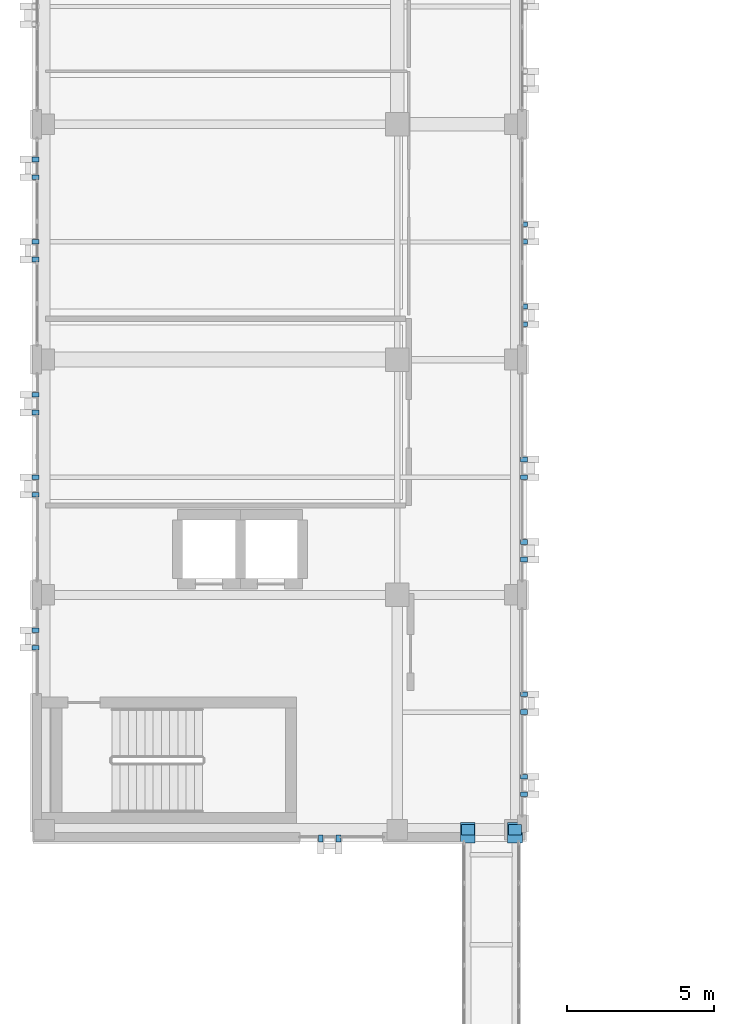
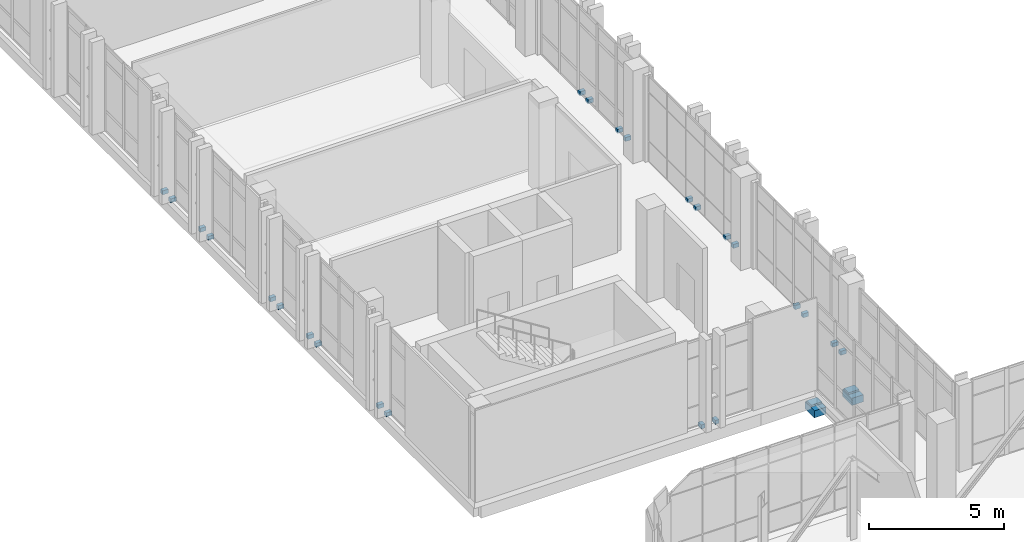
# One storey, part 165 of 193: 28 discrete accessories.
"""IFC4 building model written with IfcOpenShell, lengths in metres."""

import ifcopenshell
import ifcopenshell.guid

model = None  # the IFC model being written
_history = None  # IfcOwnerHistory: only IFC2X3 demands one
_inside = {}  # id of a spatial element -> (the spatial element, [elements in it])
_under = {}  # id of a project, library or spatial element -> (it, [spatial elements below it])
_declared = {}  # id of a project -> (the project, [libraries it declares])
_typed = {}  # id of a type object -> (the type object, [elements of that type])
_made_of = {}  # id of a material, layer set ... -> (it, [elements and type objects made of it])


def new_model(schema):
    """Start an empty IFC model of exactly this schema.

    Asked for "IFC4X3", IfcOpenShell would pick the latest addendum, in which some entities
    have other attributes; the version numbers below select the first issue.
    IFC2X3 requires an IfcOwnerHistory on every rooted entity: one is made here for all.
    """
    global model, _history
    if schema == "IFC4X3":
        model = ifcopenshell.file(schema_version=(4, 3, 0, 0))
    else:
        model = ifcopenshell.file(schema=schema)
    _inside.clear()
    _under.clear()
    _declared.clear()
    _typed.clear()
    _made_of.clear()
    _history = None
    if model.schema == "IFC2X3":
        org = make("IfcOrganization", Name="unknown")
        user = make(
            "IfcPersonAndOrganization",
            ThePerson=make("IfcPerson", FamilyName="unknown"),
            TheOrganization=org,
        )
        app = make(
            "IfcApplication",
            ApplicationDeveloper=org,
            Version="unknown",
            ApplicationFullName="unknown",
            ApplicationIdentifier="unknown",
        )
        _history = make(
            "IfcOwnerHistory",
            OwningUser=user,
            OwningApplication=app,
            ChangeAction="ADDED",
            CreationDate=0,
        )
    return model


def make(cls, **values):
    """One entity of the class cls with the attributes given. An attribute that is None is left unset."""
    return model.create_entity(
        cls, **{name: value for name, value in values.items() if value is not None}
    )


def rooted(cls, **values):
    """An entity with a GlobalId (a new one), such as an element, a storey or a relation."""
    return make(cls, GlobalId=ifcopenshell.guid.new(), OwnerHistory=_history, **values)


def si_unit(unit_type, name, prefix=None):
    """IfcSIUnit, for example si_unit("LENGTHUNIT", "METRE", prefix="MILLI")."""
    return make("IfcSIUnit", UnitType=unit_type, Prefix=prefix, Name=name)


def assignment(units):
    """IfcUnitAssignment: the units of a project."""
    return None if units is None else make("IfcUnitAssignment", Units=units)


def point(xyz):
    """IfcCartesianPoint."""
    return None if xyz is None else make("IfcCartesianPoint", Coordinates=xyz)


def direction(xyz):
    """IfcDirection."""
    return None if xyz is None else make("IfcDirection", DirectionRatios=xyz)


def frame(location, z_axis=None, x_axis=None):
    """IfcAxis2Placement3D, a coordinate frame: its origin and axes. An axis left out is left unset."""
    return make(
        "IfcAxis2Placement3D",
        Location=point(location),
        Axis=direction(z_axis),
        RefDirection=direction(x_axis),
    )


def frame_2d(location, x_axis=None):
    """IfcAxis2Placement2D, a coordinate frame in the plane: its origin and x axis."""
    return make(
        "IfcAxis2Placement2D", Location=point(location), RefDirection=direction(x_axis)
    )


def origin():
    """The frame at (0, 0, 0) with its axes left unset."""
    return frame((0.0, 0.0, 0.0))


def origin_2d():
    """The frame at (0, 0) in the plane with its x axis left unset."""
    return frame_2d((0.0, 0.0))


def place(relative_to, where):
    """IfcLocalPlacement: puts the frame where relative to a parent placement (None: the world)."""
    return make(
        "IfcLocalPlacement", PlacementRelTo=relative_to, RelativePlacement=where
    )


def context(
    kind, dimensions, precision=None, world=None, true_north=None, identifier=None
):
    """IfcGeometricRepresentationContext, for example the 3D "Model" context."""
    return make(
        "IfcGeometricRepresentationContext",
        ContextIdentifier=identifier,
        ContextType=kind,
        CoordinateSpaceDimension=dimensions,
        Precision=precision,
        WorldCoordinateSystem=world,
        TrueNorth=true_north,
    )


def subcontext(parent, identifier, kind, view, scale=None):
    """IfcGeometricRepresentationSubContext, for example "Body" below "Model"."""
    return make(
        "IfcGeometricRepresentationSubContext",
        ContextIdentifier=identifier,
        ContextType=kind,
        ParentContext=parent,
        TargetScale=scale,
        TargetView=view,
    )


def project(units=None, contexts=None):
    """IfcProject with its units and contexts."""
    return rooted(
        "IfcProject",
        Name="project",
        RepresentationContexts=contexts,
        UnitsInContext=assignment(units),
    )


def spatial(cls, under=None, at=None, **own):
    """A site, building, storey or space (cls), placed at a placement, below another one or the project."""
    s = rooted(cls, ObjectPlacement=at, **own)
    if under is not None:
        _under.setdefault(under.id(), (under, []))[1].append(s)
    return s


def profile(cls, at=None, kind="AREA", **sizes):
    """A parametric profile (cls). Its sizes go by their IFC names, for example OverallWidth=200.0."""
    return make(cls, ProfileType=kind, Position=at, **sizes)


def rectangle(**sizes):
    """IfcRectangleProfileDef."""
    return profile("IfcRectangleProfileDef", **sizes)


def extrude(swept, where, along, depth):
    """IfcExtrudedAreaSolid: the profile swept, set in the frame where, extruded along a direction by depth."""
    return make(
        "IfcExtrudedAreaSolid",
        SweptArea=swept,
        Position=where,
        ExtrudedDirection=direction(along),
        Depth=depth,
    )


def shape(context_of_items, identifier, shape_type, items):
    """IfcShapeRepresentation: the items that make up one representation, for example the "Body"."""
    return make(
        "IfcShapeRepresentation",
        ContextOfItems=context_of_items,
        RepresentationIdentifier=identifier,
        RepresentationType=shape_type,
        Items=items,
    )


def material(Name=None, Category=None):
    """IfcMaterial."""
    return make("IfcMaterial", Name=Name, Category=Category)


def made_of(thing, what):
    """Note that an element or type object is made of a material, layer set ...; save() writes the relation."""
    if what is not None:
        _made_of.setdefault(what.id(), (what, []))[1].append(thing)
    return thing


def type_object(cls, material=None, **own):
    """A type object (cls), such as IfcWallType, which elements share."""
    return made_of(rooted(cls, **own), material)


def element(
    cls,
    number,
    at=None,
    inside=None,
    cuts=None,
    type_object=None,
    material=None,
    context=None,
    identifier="Body",
    shape_type=None,
    held_by="IfcProductDefinitionShape",
    body=None,
    shapes=None,
    **own,
):
    """One element of the class cls, such as IfcWall. Its Tag is "e" and its number.

    at: its placement. inside: the storey or other place that contains it. cuts: it is an
    opening in that element (IfcRelVoidsElement). A single representation is given by context,
    identifier, shape_type and body (its items); several are given by shapes. held_by: the class
    of the entity that holds the representations. save() writes the other relations.
    """
    e = rooted(cls, Tag="e%d" % number, ObjectPlacement=at, **own)
    if body is not None:
        shapes = [shape(context, identifier, shape_type, body)]
    if shapes is not None:
        e.Representation = make(held_by, Representations=shapes)
    if inside is not None:
        _inside.setdefault(inside.id(), (inside, []))[1].append(e)
    if cuts is not None:
        rooted(
            "IfcRelVoidsElement", RelatingBuildingElement=cuts, RelatedOpeningElement=e
        )
    if type_object is not None:
        _typed.setdefault(type_object.id(), (type_object, []))[1].append(e)
    return made_of(e, material)


def aggregate(whole, parts):
    """IfcRelAggregates: a whole, such as a stair, and the parts it consists of."""
    return rooted("IfcRelAggregates", RelatingObject=whole, RelatedObjects=parts)


def save(model, path):
    """Write the relations noted so far, then the file.

    IfcRelAggregates (storeys below a building ...), IfcRelContainedInSpatialStructure (elements
    in a storey), IfcRelDefinesByType, IfcRelAssociatesMaterial and IfcRelDeclares: one each for
    every whole, place, type object, material and project.
    """
    for whole, parts in _under.values():
        aggregate(whole, parts)
    for where, things in _inside.values():
        rooted(
            "IfcRelContainedInSpatialStructure",
            RelatedElements=things,
            RelatingStructure=where,
        )
    for kind, things in _typed.values():
        rooted("IfcRelDefinesByType", RelatedObjects=things, RelatingType=kind)
    for what, things in _made_of.values():
        rooted("IfcRelAssociatesMaterial", RelatedObjects=things, RelatingMaterial=what)
    for by, libraries in _declared.values():
        rooted("IfcRelDeclares", RelatingContext=by, RelatedDefinitions=libraries)
    model.write(path)


model = new_model("IFC4")

# Units and contexts
model_context = context("Model", 3, precision=1e-05, world=origin(), true_north=direction((0.0, 1.0)))
body_context = subcontext(model_context, "Body", "Model", "MODEL_VIEW")
ifc_project = project(units=[si_unit("LENGTHUNIT", "METRE"), si_unit("AREAUNIT", "SQUARE_METRE"), si_unit("VOLUMEUNIT", "CUBIC_METRE"), si_unit("PLANEANGLEUNIT", "RADIAN"), si_unit("MASSUNIT", "GRAM", prefix="KILO")], contexts=[model_context])

# Site, building, storey
site_placement = place(None, origin())
site = spatial("IfcSite", under=ifc_project, at=site_placement, CompositionType="ELEMENT")
building_placement = place(site_placement, origin())
building = spatial("IfcBuilding", under=site, at=building_placement, Name="Qalavern Law Courts", CompositionType="ELEMENT")
storey_placement = place(building_placement, frame((0.0, 0.0, 10.199951171875)))
storey = spatial("IfcBuildingStorey", under=building, at=storey_placement, Name="L02", CompositionType="ELEMENT", Elevation=10.199951171875)

# Discrete accessories
ifc_material_1 = material(Name="Steel S355", Category="steel")
discrete_accessory_type_1 = type_object("IfcDiscreteAccessoryType", Name="ENV-BRK-FIN", PredefinedType="BRACKET", material=ifc_material_1)
for number, where, z_axis, x_axis, name in (
    (1, (11.800048828125, 41.114990234375, -0.06982421875), (0.0, 0.0, 1.0), (0.0, -1.0, 0.0), "Stone blade anchor bracket 0247"),
    (2, (12.39990234375, 41.114990234375, -0.06982421875), (0.0, 0.0, 1.0), (0.0, -1.0, 0.0), "Stone blade anchor bracket 0248"),
    (3, (18.705078125, 42.6201171875, -0.06982421875), (0.0, 0.0, 1.0), (1.0, 0.0, 0.0), "Stone blade anchor bracket 0249"),
    (4, (18.705078125, 43.219970703125, -0.06982421875), (0.0, 0.0, 1.0), (1.0, 0.0, 0.0), "Stone blade anchor bracket 0250"),
    (5, (18.705078125, 45.419921875, -0.06982421875), (0.0, 0.0, 1.0), (1.0, 0.0, 0.0), "Stone blade anchor bracket 0251"),
    (6, (18.705078125, 46.02001953125, -0.06982421875), (0.0, 0.0, 1.0), (1.0, 0.0, 0.0), "Stone blade anchor bracket 0252"),
    (7, (18.705078125, 50.60009765625, -0.06982421875), (0.0, 0.0, 1.0), (1.0, 0.0, 0.0), "Stone blade anchor bracket 0253"),
    (8, (18.705078125, 51.199951171875, -0.06982421875), (0.0, 0.0, 1.0), (1.0, 0.0, 0.0), "Stone blade anchor bracket 0254"),
    (9, (18.705078125, 53.39990234375, -0.06982421875), (0.0, 0.0, 1.0), (1.0, 0.0, 0.0), "Stone blade anchor bracket 0255"),
    (10, (18.705078125, 54.0, -0.06982421875), (0.0, 0.0, 1.0), (1.0, 0.0, 0.0), "Stone blade anchor bracket 0256"),
    (11, (18.705078125, 58.60009765625, -0.06982421875), (0.0, 0.0, 1.0), (1.0, 0.0, 0.0), "Stone blade anchor bracket 0257"),
    (12, (18.705078125, 59.199951171875, -0.06982421875), (0.0, 0.0, 1.0), (1.0, 0.0, 0.0), "Stone blade anchor bracket 0258"),
    (13, (18.705078125, 61.39990234375, -0.06982421875), (0.0, 0.0, 1.0), (1.0, 0.0, 0.0), "Stone blade anchor bracket 0259"),
    (14, (18.705078125, 62.0, -0.06982421875), (0.0, 0.0, 1.0), (1.0, 0.0, 0.0), "Stone blade anchor bracket 0260"),
    (15, (2.094970703125, 64.199951171875, -0.06982421875), (0.0, 0.0, 1.0), (-1.0, 0.0, 0.0), "Stone blade anchor bracket 0289"),
    (16, (2.094970703125, 63.60009765625, -0.06982421875), (0.0, 0.0, 1.0), (-1.0, 0.0, 0.0), "Stone blade anchor bracket 0290"),
    (17, (2.094970703125, 61.39990234375, -0.06982421875), (0.0, 0.0, 1.0), (-1.0, 0.0, 0.0), "Stone blade anchor bracket 0291"),
    (18, (2.094970703125, 60.800048828125, -0.06982421875), (0.0, 0.0, 1.0), (-1.0, 0.0, 0.0), "Stone blade anchor bracket 0292"),
    (19, (2.094970703125, 56.199951171875, -0.06982421875), (0.0, 0.0, 1.0), (-1.0, 0.0, 0.0), "Stone blade anchor bracket 0293"),
    (20, (2.094970703125, 55.60009765625, -0.06982421875), (0.0, 0.0, 1.0), (-1.0, 0.0, 0.0), "Stone blade anchor bracket 0294"),
    (21, (2.094970703125, 53.39990234375, -0.06982421875), (0.0, 0.0, 1.0), (-1.0, 0.0, 0.0), "Stone blade anchor bracket 0295"),
    (22, (2.094970703125, 52.800048828125, -0.06982421875), (0.0, 0.0, 1.0), (-1.0, 0.0, 0.0), "Stone blade anchor bracket 0296"),
    (23, (2.094970703125, 48.199951171875, -0.06982421875), (0.0, 0.0, 1.0), (-1.0, 0.0, 0.0), "Stone blade anchor bracket 0297"),
    (24, (2.094970703125, 47.60009765625, -0.06982421875), (0.0, 0.0, 1.0), (-1.0, 0.0, 0.0), "Stone blade anchor bracket 0298"),
):
    element("IfcDiscreteAccessory", number, at=place(storey_placement, frame(where, z_axis=z_axis, x_axis=x_axis)), inside=storey, type_object=discrete_accessory_type_1, Name=name, PredefinedType="BRACKET", context=body_context, shape_type="SweptSolid", body=[
        extrude(rectangle(XDim=0.239990234375, YDim=0.159912109375, at=origin_2d()), origin(), (0.0, 0.0, 1.0), 0.179931640625),
    ])
ifc_material_2 = material(Name="Concrete C45/55", Category="concrete")
discrete_accessory_type_2 = type_object("IfcDiscreteAccessoryType", Name="STR-CORBEL-700", PredefinedType="BRACKET", material=ifc_material_2)
for number, where, z_axis, x_axis, name in (
    (25, (16.800048828125, 41.320068359375, -1.23974609375), (0.0, 0.0, 1.0), (1.0, 0.0, 0.0), "Bridge BR-V1-V3 700 mm corbel seat 1 L02"),
    (26, (18.39990234375, 41.320068359375, -1.23974609375), (0.0, 0.0, 1.0), (1.0, 0.0, 0.0), "Bridge BR-V1-V3 700 mm corbel seat 2 L02"),
):
    element("IfcDiscreteAccessory", number, at=place(storey_placement, frame(where, z_axis=z_axis, x_axis=x_axis)), inside=storey, type_object=discrete_accessory_type_2, Name=name, PredefinedType="BRACKET", context=body_context, shape_type="SweptSolid", body=[
        extrude(rectangle(XDim=0.5, YDim=0.699951171875, at=origin_2d()), origin(), (0.0, 0.0, 1.0), 0.320068359375),
    ])
discrete_accessory_type_3 = type_object("IfcDiscreteAccessoryType", Name="STR-SHOE-PTFE350", PredefinedType="SHOE", material=ifc_material_1)
for number, where, z_axis, x_axis, name in (
    (27, (16.800048828125, 41.419921875, -0.919921875), (0.0, 0.0, 1.0), (1.0, 0.0, 0.0), "Seismic bridge PTFE sliding bearing 27"),
    (28, (18.39990234375, 41.419921875, -0.919921875), (0.0, 0.0, 1.0), (1.0, 0.0, 0.0), "Seismic bridge PTFE sliding bearing 28"),
):
    element("IfcDiscreteAccessory", number, at=place(storey_placement, frame(where, z_axis=z_axis, x_axis=x_axis)), inside=storey, type_object=discrete_accessory_type_3, Name=name, PredefinedType="SHOE", context=body_context, shape_type="SweptSolid", body=[
        extrude(rectangle(XDim=0.449951171875, YDim=0.35009765625, at=origin_2d()), origin(), (0.0, 0.0, 1.0), 0.080078125),
    ])

save(model, "model.ifc")
